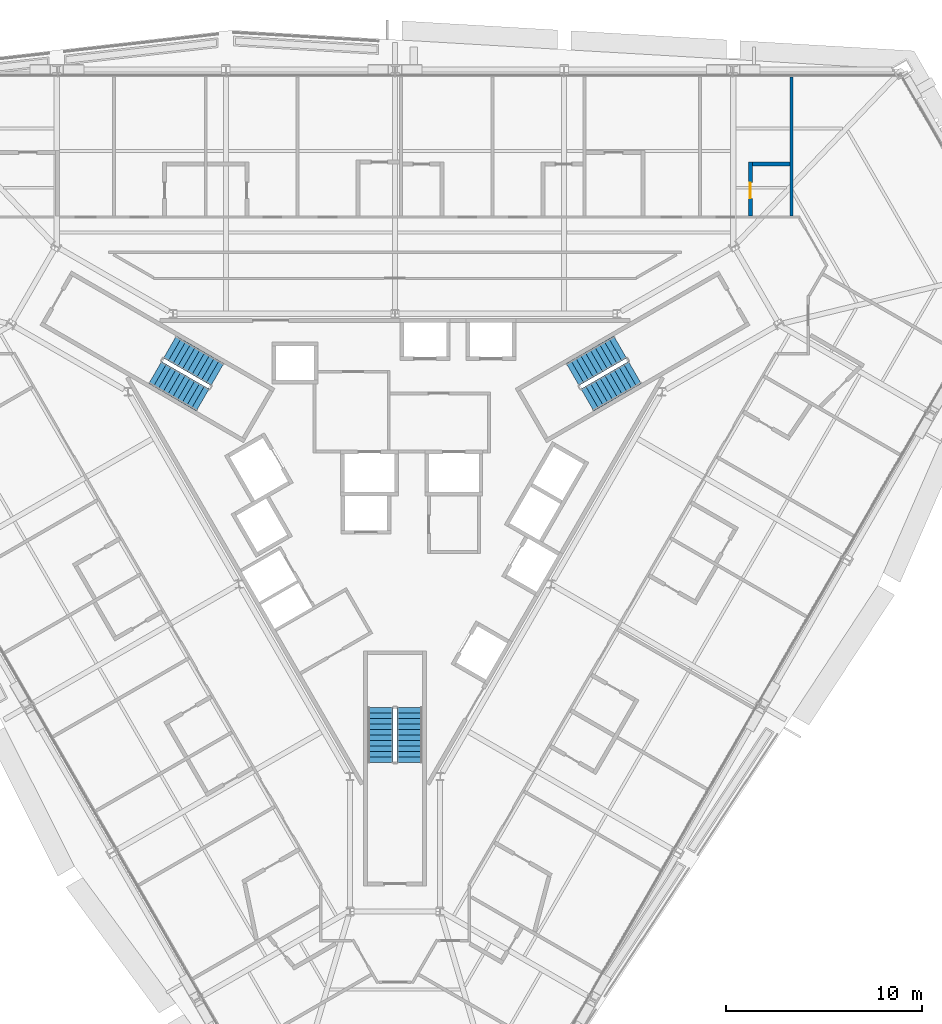
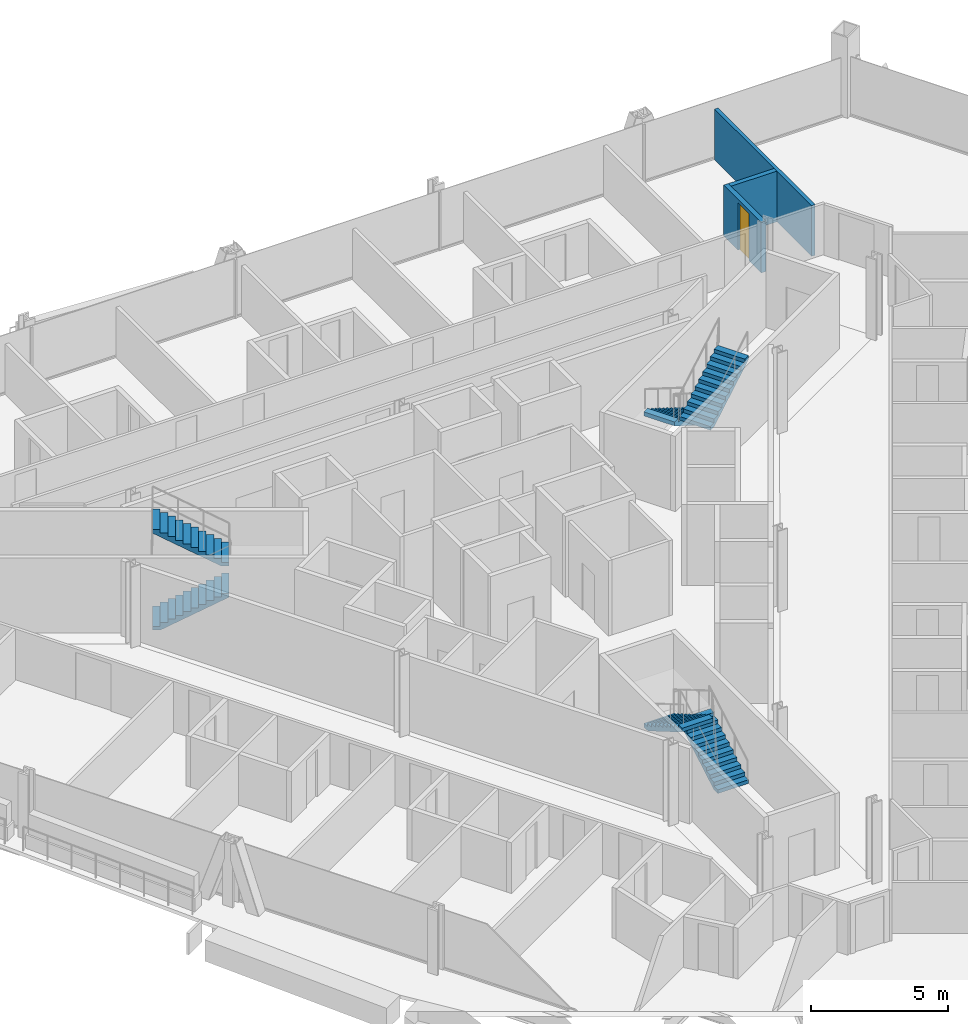
# One storey, part 16 of 18: 6 stair flights, 3 walls, 1 door, 1 opening, 3 elements without a shape of their own.
"""IFC4 building model written with IfcOpenShell, lengths in metres."""

from ifc_helpers import new_model, si_unit, direction, frame, frame_2d, origin, place, context, subcontext, project, spatial, polyline, rectangle, outline, extrude, material, layer, layer_set, type_object, element, fill, aggregate, save


model = new_model("IFC4")

# Units and contexts
model_context = context("Model", 3, precision=1e-05, world=origin(), true_north=direction((0.0, 1.0)))
body_context = subcontext(model_context, "Body", "Model", "MODEL_VIEW")
ifc_project = project(units=[si_unit("LENGTHUNIT", "METRE"), si_unit("AREAUNIT", "SQUARE_METRE"), si_unit("VOLUMEUNIT", "CUBIC_METRE"), si_unit("PLANEANGLEUNIT", "RADIAN"), si_unit("MASSUNIT", "GRAM", prefix="KILO")], contexts=[model_context])

# Site, building, storey
site_placement = place(None, origin())
site = spatial("IfcSite", under=ifc_project, at=site_placement, CompositionType="ELEMENT")
building_placement = place(site_placement, origin())
building = spatial("IfcBuilding", under=site, at=building_placement, Name="Verrane Prism Tower", CompositionType="ELEMENT")
storey_placement = place(building_placement, frame((0.0, 0.0, 83.60009765625)))
storey = spatial("IfcBuildingStorey", under=building, at=storey_placement, Name="L19", CompositionType="ELEMENT", Elevation=83.60009765625)

# Wall
ifc_material_1 = material(Name="Gypsum board partition", Category="other")
ifc_layer_1 = layer(ifc_material_1, 0.14990234375)
ifc_layer_set_1 = layer_set([ifc_layer_1], Name="PW-150 demising wall 1 h")
wall_type_1 = type_object("IfcWallType", Name="PW-150 demising wall 1 h", PredefinedType="PARTITIONING", material=ifc_layer_set_1)
wall_1_placement = place(storey_placement, frame((20.236083984375, 14.199462890625, 0.0), z_axis=(0.0, 0.0, 1.0), x_axis=(0.0, 1.0, 0.0)))
element("IfcWall", 1, at=wall_1_placement, inside=storey, type_object=wall_type_1, Name="Demising wall 087", PredefinedType="PARTITIONING", context=body_context, shape_type="SweptSolid", body=[
    extrude(rectangle(XDim=7.095458984375, YDim=0.14990234375, at=frame_2d((3.5478515625, 0.0))), origin(), (0.0, 0.0, 1.0), 2.261962890625),
])

# Wall, opening, door
ifc_material_2 = material(Name="Gypsum board partition", Category="other")
ifc_layer_2 = layer(ifc_material_2, 0.199951171875)
ifc_layer_set_2 = layer_set([ifc_layer_2], Name="PW-200 plumbing wall")
wall_type_2 = type_object("IfcWallType", Name="PW-200 plumbing wall", PredefinedType="PARTITIONING", material=ifc_layer_set_2)
wall_2_placement = place(storey_placement, frame((18.135986328125, 16.93701171875, 0.0), z_axis=(0.0, 0.0, 1.0), x_axis=(0.0, -1.0, 0.0)))
wall_2 = element("IfcWall", 2, at=wall_2_placement, inside=storey, type_object=wall_type_2, Name="Plumbing wall 082", PredefinedType="PARTITIONING", context=body_context, shape_type="SweptSolid", body=[
    extrude(rectangle(XDim=2.737548828125, YDim=0.199951171875, at=frame_2d((1.36865234375, 0.0))), origin(), (0.0, 0.0, 1.0), 2.261962890625),
])
opening_placement = place(wall_2_placement, frame((1.050048828125, 0.0, 0.0)))
opening = element("IfcOpeningElement", 3, at=opening_placement, cuts=wall_2, Name="Opening D17019", PredefinedType="OPENING", context=body_context, shape_type="SweptSolid", body=[
    extrude(rectangle(XDim=0.800048828125, YDim=2.10009765625, at=frame_2d((0.39990234375, 1.050048828125))), frame((0.0, 0.10986328125, 0.0), z_axis=(0.0, -1.0, 0.0), x_axis=(1.0, 0.0, 0.0)), (0.0, 0.0, 1.0), 0.219970703125),
])
ifc_material_3 = material(Name="Timber veneered door leaf", Category="wood")
door_type = type_object("IfcDoorType", Name="DR-800x2100 single leaf bath", OperationType="NOTDEFINED", PredefinedType="DOOR", material=ifc_material_3)
door_placement = place(opening_placement, origin())
door = element("IfcDoor", 4, at=door_placement, inside=storey, type_object=door_type, Name="En-Suite door", OperationType="SINGLE_SWING_RIGHT", OverallHeight=2.10009765625, OverallWidth=0.800048828125, PredefinedType="DOOR", context=body_context, shape_type="SweptSolid", body=[
    extrude(rectangle(XDim=0.800048828125, YDim=2.10009765625, at=frame_2d((0.39990234375, 1.050048828125))), frame((0.0, 0.02490234375, 0.0), z_axis=(0.0, -1.0, 0.0), x_axis=(1.0, 0.0, 0.0)), (0.0, 0.0, 1.0), 0.050048828125),
])
fill(opening, door)

# Wall
wall_3_placement = place(storey_placement, frame((18.236083984375, 16.8369140625, 0.0), z_axis=(0.0, 0.0, 1.0), x_axis=(1.0, 0.0, 0.0)))
element("IfcWall", 5, at=wall_3_placement, inside=storey, type_object=wall_type_2, Name="Plumbing wall 083", PredefinedType="PARTITIONING", context=body_context, shape_type="SweptSolid", body=[
    extrude(rectangle(XDim=1.9248046875, YDim=0.199951171875, at=frame_2d((0.96240234375, 0.0))), origin(), (0.0, 0.0, 1.0), 2.261962890625),
])

# Stair, stair flights
ifc_material_4 = material(Name="Concrete C40/50", Category="concrete")
stair_type = type_object("IfcStairType", Name="Exit stair 1300 dog-leg precast concrete C40/50", PredefinedType="HALF_TURN_STAIR", material=ifc_material_4)
stair_1_placement = place(storey_placement, origin())
stair_1 = element("IfcStair", 6, at=stair_1_placement, inside=storey, type_object=stair_type, Name="Stair 1 L19", PredefinedType="HALF_TURN_STAIR")
ifc_material_5 = material(Name="Concrete C40/50", Category="concrete")
stair_flight_type = type_object("IfcStairFlightType", Name="Stair flight 1300 precast concrete C40/50", PredefinedType="STRAIGHT", material=ifc_material_5)
stair_flight_1_placement = place(storey_placement, frame((11.489501953125, 7.49951171875, 0.0), z_axis=(0.0, 0.0, 1.0), x_axis=(-0.866025403784, -0.5, 0.0)))
stair_flight_1 = element("IfcStairFlight", 7, at=stair_flight_1_placement, type_object=stair_flight_type, Name="Stair 1 flight 1", NumberOfRisers=11, NumberOfTreads=10, PredefinedType="STRAIGHT", RiserHeight=0.163636364, TreadLength=0.28, context=body_context, shape_type="SweptSolid", body=[
    extrude(outline(polyline([(0.0, 0.0), (0.0, 0.16357421875), (0.280029296875, 0.16357421875), (0.280029296875, 0.327392578125), (0.56005859375, 0.327392578125), (0.56005859375, 0.490966796875), (0.840087890625, 0.490966796875), (0.840087890625, 0.654541015625), (1.1201171875, 0.654541015625), (1.1201171875, 0.818115234375), (1.39990234375, 0.818115234375), (1.39990234375, 0.98193359375), (1.679931640625, 0.98193359375), (1.679931640625, 1.1455078125), (1.9599609375, 1.1455078125), (1.9599609375, 1.30908203125), (2.239990234375, 1.30908203125), (2.239990234375, 1.47265625), (2.52001953125, 1.47265625), (2.52001953125, 1.636474609375), (2.800048828125, 1.636474609375), (2.800048828125, 1.800048828125), (2.800048828125, 1.462646484375), (0.297119140625, 0.0), (0.0, 0.0)])), frame((0.0, 0.64990234375, 0.0), z_axis=(0.0, -1.0, 0.0), x_axis=(1.0, 0.0, 0.0)), (0.0, 0.0, 1.0), 1.300048828125),
])
stair_flight_2_placement = place(storey_placement, frame((9.814697265625, 4.800537109375, 1.7998046875), z_axis=(0.0, 0.0, 1.0), x_axis=(0.866025403784, 0.5, 0.0)))
stair_flight_2 = element("IfcStairFlight", 8, at=stair_flight_2_placement, type_object=stair_flight_type, Name="Stair 1 flight 2", NumberOfRisers=11, NumberOfTreads=10, PredefinedType="STRAIGHT", RiserHeight=0.163636364, TreadLength=0.28, context=body_context, shape_type="SweptSolid", body=[
    extrude(outline(polyline([(0.0, 0.0), (0.0, 0.16357421875), (0.280029296875, 0.16357421875), (0.280029296875, 0.327392578125), (0.56005859375, 0.327392578125), (0.56005859375, 0.490966796875), (0.840087890625, 0.490966796875), (0.840087890625, 0.654541015625), (1.1201171875, 0.654541015625), (1.1201171875, 0.818115234375), (1.39990234375, 0.818115234375), (1.39990234375, 0.98193359375), (1.679931640625, 0.98193359375), (1.679931640625, 1.1455078125), (1.9599609375, 1.1455078125), (1.9599609375, 1.30908203125), (2.239990234375, 1.30908203125), (2.239990234375, 1.47265625), (2.52001953125, 1.47265625), (2.52001953125, 1.636474609375), (2.800048828125, 1.636474609375), (2.800048828125, 1.800048828125), (2.800048828125, 1.462646484375), (0.297119140625, 0.0), (0.0, 0.0)])), frame((0.0, 0.64990234375, 0.0), z_axis=(0.0, -1.0, 0.0), x_axis=(1.0, 0.0, 0.0)), (0.0, 0.0, 1.0), 1.300048828125),
])
aggregate(stair_1, [stair_flight_1, stair_flight_2])

stair_2_placement = place(storey_placement, origin())
stair_2 = element("IfcStair", 9, at=stair_2_placement, inside=storey, type_object=stair_type, Name="Stair 2 L19", PredefinedType="HALF_TURN_STAIR")
stair_flight_3_placement = place(storey_placement, frame((-12.239501953125, 6.200439453125, 0.0), z_axis=(0.0, 0.0, 1.0), x_axis=(0.866025403784, -0.5, 0.0)))
stair_flight_3 = element("IfcStairFlight", 10, at=stair_flight_3_placement, type_object=stair_flight_type, Name="Stair 2 flight 1", NumberOfRisers=11, NumberOfTreads=10, PredefinedType="STRAIGHT", RiserHeight=0.163636364, TreadLength=0.28, context=body_context, shape_type="SweptSolid", body=[
    extrude(outline(polyline([(0.0, 0.0), (0.0, 0.16357421875), (0.280029296875, 0.16357421875), (0.280029296875, 0.327392578125), (0.56005859375, 0.327392578125), (0.56005859375, 0.490966796875), (0.840087890625, 0.490966796875), (0.840087890625, 0.654541015625), (1.1201171875, 0.654541015625), (1.1201171875, 0.818115234375), (1.39990234375, 0.818115234375), (1.39990234375, 0.98193359375), (1.679931640625, 0.98193359375), (1.679931640625, 1.1455078125), (1.9599609375, 1.1455078125), (1.9599609375, 1.30908203125), (2.239990234375, 1.30908203125), (2.239990234375, 1.47265625), (2.52001953125, 1.47265625), (2.52001953125, 1.636474609375), (2.800048828125, 1.636474609375), (2.800048828125, 1.800048828125), (2.800048828125, 1.462646484375), (0.297119140625, 0.0), (0.0, 0.0)])), frame((0.0, 0.64990234375, 0.0), z_axis=(0.0, -1.0, 0.0), x_axis=(1.0, 0.0, 0.0)), (0.0, 0.0, 1.0), 1.300048828125),
])
stair_flight_4_placement = place(storey_placement, frame((-9.064697265625, 6.099609375, 1.7998046875), z_axis=(0.0, 0.0, 1.0), x_axis=(-0.866025403784, 0.5, 0.0)))
stair_flight_4 = element("IfcStairFlight", 11, at=stair_flight_4_placement, type_object=stair_flight_type, Name="Stair 2 flight 2", NumberOfRisers=11, NumberOfTreads=10, PredefinedType="STRAIGHT", RiserHeight=0.163636364, TreadLength=0.28, context=body_context, shape_type="SweptSolid", body=[
    extrude(outline(polyline([(0.0, 0.0), (0.0, 0.16357421875), (0.280029296875, 0.16357421875), (0.280029296875, 0.327392578125), (0.56005859375, 0.327392578125), (0.56005859375, 0.490966796875), (0.840087890625, 0.490966796875), (0.840087890625, 0.654541015625), (1.1201171875, 0.654541015625), (1.1201171875, 0.818115234375), (1.39990234375, 0.818115234375), (1.39990234375, 0.98193359375), (1.679931640625, 0.98193359375), (1.679931640625, 1.1455078125), (1.9599609375, 1.1455078125), (1.9599609375, 1.30908203125), (2.239990234375, 1.30908203125), (2.239990234375, 1.47265625), (2.52001953125, 1.47265625), (2.52001953125, 1.636474609375), (2.800048828125, 1.636474609375), (2.800048828125, 1.800048828125), (2.800048828125, 1.462646484375), (0.297119140625, 0.0), (0.0, 0.0)])), frame((0.0, 0.64990234375, 0.0), z_axis=(0.0, -1.0, 0.0), x_axis=(1.0, 0.0, 0.0)), (0.0, 0.0, 1.0), 1.300048828125),
])
aggregate(stair_2, [stair_flight_3, stair_flight_4])

stair_3_placement = place(storey_placement, origin())
stair_3 = element("IfcStair", 12, at=stair_3_placement, inside=storey, type_object=stair_type, Name="Stair 3 L19", PredefinedType="HALF_TURN_STAIR")
stair_flight_5_placement = place(storey_placement, frame((0.75, -13.699951171875, 0.0), z_axis=(0.0, 0.0, 1.0), x_axis=(0.0, 1.0, 0.0)))
stair_flight_5 = element("IfcStairFlight", 13, at=stair_flight_5_placement, type_object=stair_flight_type, Name="Stair 3 flight 1", NumberOfRisers=11, NumberOfTreads=10, PredefinedType="STRAIGHT", RiserHeight=0.163636364, TreadLength=0.28, context=body_context, shape_type="SweptSolid", body=[
    extrude(outline(polyline([(0.0, 0.0), (0.0, 0.16357421875), (0.280029296875, 0.16357421875), (0.280029296875, 0.327392578125), (0.56005859375, 0.327392578125), (0.56005859375, 0.490966796875), (0.840087890625, 0.490966796875), (0.840087890625, 0.654541015625), (1.1201171875, 0.654541015625), (1.1201171875, 0.818115234375), (1.39990234375, 0.818115234375), (1.39990234375, 0.98193359375), (1.679931640625, 0.98193359375), (1.679931640625, 1.1455078125), (1.9599609375, 1.1455078125), (1.9599609375, 1.30908203125), (2.239990234375, 1.30908203125), (2.239990234375, 1.47265625), (2.52001953125, 1.47265625), (2.52001953125, 1.636474609375), (2.800048828125, 1.636474609375), (2.800048828125, 1.800048828125), (2.800048828125, 1.462646484375), (0.297119140625, 0.0), (0.0, 0.0)])), frame((0.0, 0.64990234375, 0.0), z_axis=(0.0, -1.0, 0.0), x_axis=(1.0, 0.0, 0.0)), (0.0, 0.0, 1.0), 1.300048828125),
])
stair_flight_6_placement = place(storey_placement, frame((-0.75, -10.89990234375, 1.7998046875), z_axis=(0.0, 0.0, 1.0), x_axis=(0.0, -1.0, 0.0)))
stair_flight_6 = element("IfcStairFlight", 14, at=stair_flight_6_placement, type_object=stair_flight_type, Name="Stair 3 flight 2", NumberOfRisers=11, NumberOfTreads=10, PredefinedType="STRAIGHT", RiserHeight=0.163636364, TreadLength=0.28, context=body_context, shape_type="SweptSolid", body=[
    extrude(outline(polyline([(0.0, 0.0), (0.0, 0.16357421875), (0.280029296875, 0.16357421875), (0.280029296875, 0.327392578125), (0.56005859375, 0.327392578125), (0.56005859375, 0.490966796875), (0.840087890625, 0.490966796875), (0.840087890625, 0.654541015625), (1.1201171875, 0.654541015625), (1.1201171875, 0.818115234375), (1.39990234375, 0.818115234375), (1.39990234375, 0.98193359375), (1.679931640625, 0.98193359375), (1.679931640625, 1.1455078125), (1.9599609375, 1.1455078125), (1.9599609375, 1.30908203125), (2.239990234375, 1.30908203125), (2.239990234375, 1.47265625), (2.52001953125, 1.47265625), (2.52001953125, 1.636474609375), (2.800048828125, 1.636474609375), (2.800048828125, 1.800048828125), (2.800048828125, 1.462646484375), (0.297119140625, 0.0), (0.0, 0.0)])), frame((0.0, 0.64990234375, 0.0), z_axis=(0.0, -1.0, 0.0), x_axis=(1.0, 0.0, 0.0)), (0.0, 0.0, 1.0), 1.300048828125),
])
aggregate(stair_3, [stair_flight_5, stair_flight_6])

save(model, "model.ifc")
